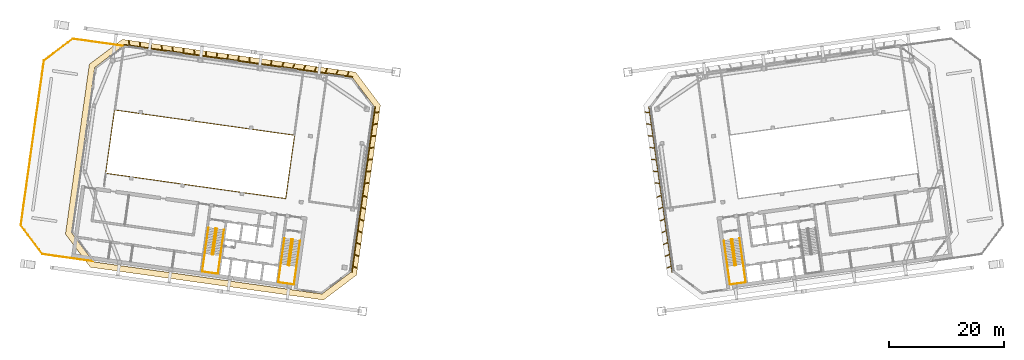
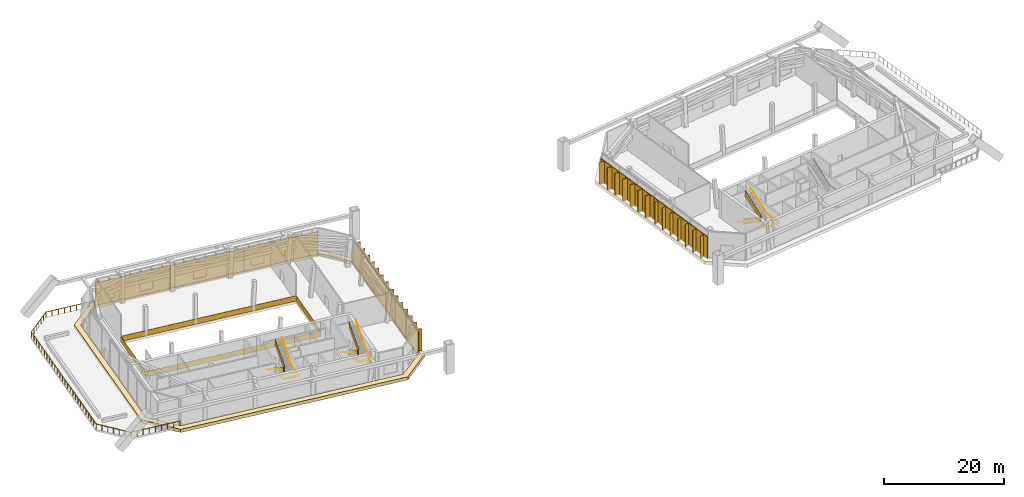
# One storey, part 28 of 29: 8 railings, 7 shading devices, 1 covering.
"""IFC4 building model written with IfcOpenShell, lengths in metres."""

from ifc_helpers import new_model, si_unit, direction, frame, origin, origin_2d, place, context, subcontext, project, spatial, polyline, rectangle, outline, extrude, material, layer, layer_set, type_object, element, save


model = new_model("IFC4")

# Units and contexts
model_context = context("Model", 3, precision=1e-05, world=origin(), true_north=direction((0.0, 1.0)))
body_context = subcontext(model_context, "Body", "Model", "MODEL_VIEW")
ifc_project = project(units=[si_unit("LENGTHUNIT", "METRE"), si_unit("AREAUNIT", "SQUARE_METRE"), si_unit("VOLUMEUNIT", "CUBIC_METRE"), si_unit("PLANEANGLEUNIT", "RADIAN"), si_unit("MASSUNIT", "GRAM", prefix="KILO")], contexts=[model_context])

# Site, building, storey
site_placement = place(None, origin())
site = spatial("IfcSite", under=ifc_project, at=site_placement, CompositionType="ELEMENT")
building_placement = place(site_placement, origin())
building = spatial("IfcBuilding", under=site, at=building_placement, Name="Mirante Cascada Hotel Towers", CompositionType="ELEMENT")
storey_placement = place(building_placement, frame((0.0, 0.0, 210.6)))
storey = spatial("IfcBuildingStorey", under=building, at=storey_placement, Name="L50", CompositionType="ELEMENT", Elevation=210.6)

# Covering
ifc_material_1 = material(Name="Precast concrete C40/50 white", Category="concrete")
ifc_layer = layer(ifc_material_1, 0.6)
ifc_layer_set = layer_set([ifc_layer], Name="Precast concrete SUNSHADE band 1000x600")
covering_type = type_object("IfcCoveringType", Name="Precast concrete SUNSHADE band 1000x600", PredefinedType="CLADDING", material=ifc_layer_set)
covering_placement = place(storey_placement, frame((0.0, 0.0, -0.5)))
element("IfcCovering", 1, at=covering_placement, inside=storey, type_object=covering_type, Name="Precast concrete SUNSHADE band T1 L50", PredefinedType="CLADDING", context=body_context, shape_type="SweptSolid", body=[
    extrude(outline(polyline([(-77.628, -10.3671), (-73.4767, 19.171), (-67.7326, 23.4995), (-27.1979, 17.8027), (-22.8694, 12.0586), (-27.0207, -17.4795), (-32.7648, -21.808), (-73.2995, -16.1112), (-77.628, -10.3671)]), holes=[polyline([(-23.9173, 11.7876), (-27.7472, 16.8701), (-67.4616, 22.4516), (-72.5441, 18.6217), (-76.5801, -10.0961), (-72.7501, -15.1786), (-33.0358, -20.7601), (-27.9533, -16.9301), (-23.9173, 11.7876)])]), origin(), (0.0, 0.0, 1.0), 0.65),
])

# Railings
ifc_material_2 = material(Name="Toughened glass", Category="glass")
railing_type_1 = type_object("IfcRailingType", Name="Refuge floor atrium guard 1100 glass balustrade", PredefinedType="GUARDRAIL", material=ifc_material_2)
railing_1_placement = place(storey_placement, frame((-39.343, -4.1708, 0.0)))
element("IfcRailing", 2, at=railing_1_placement, inside=storey, type_object=railing_type_1, Name="Atrium guard T1 L50", PredefinedType="GUARDRAIL", context=body_context, shape_type="SweptSolid", body=[
    extrude(rectangle(XDim=0.048, YDim=0.048, at=origin_2d()), frame((0.0, 0.0, 1.076), z_axis=(-0.9902684, 0.1391708, 0.0), x_axis=(-0.1391708, -0.9902684, 0.0)), (0.0, 0.0, 1.0), 31.6),
    extrude(rectangle(XDim=0.02, YDim=1.052, at=origin_2d()), frame((0.0, 0.0, 0.526), z_axis=(-0.9902684, 0.1391708, 0.0), x_axis=(-0.1391708, -0.9902684, 0.0)), (0.0, 0.0, 1.0), 31.6),
    extrude(rectangle(XDim=0.048, YDim=0.048, at=origin_2d()), frame((-31.2925, 4.3978, 1.076), z_axis=(0.1391709, 0.9902684, 0.0), x_axis=(-0.9902684, 0.1391709, 0.0)), (0.0, 0.0, 1.0), 11.1),
    extrude(rectangle(XDim=0.02, YDim=1.052, at=origin_2d()), frame((-31.2925, 4.3978, 0.526), z_axis=(0.1391709, 0.9902684, 0.0), x_axis=(-0.9902684, 0.1391709, 0.0)), (0.0, 0.0, 1.0), 11.1),
    extrude(rectangle(XDim=0.048, YDim=0.048, at=origin_2d()), frame((-29.7477, 15.3898, 1.076), z_axis=(0.990268, -0.1391739, 0.0), x_axis=(0.1391739, 0.990268, 0.0)), (0.0, 0.0, 1.0), 31.6),
    extrude(rectangle(XDim=0.02, YDim=1.052, at=origin_2d()), frame((-29.7477, 15.3898, 0.526), z_axis=(0.990268, -0.1391739, 0.0), x_axis=(0.1391739, 0.990268, 0.0)), (0.0, 0.0, 1.0), 31.6),
    extrude(rectangle(XDim=0.048, YDim=0.048, at=origin_2d()), frame((1.5448, 10.9919, 1.076), z_axis=(-0.1391721, -0.9902682, 0.0), x_axis=(0.9902682, -0.1391721, 0.0)), (0.0, 0.0, 1.0), 11.0999),
    extrude(rectangle(XDim=0.02, YDim=1.052, at=origin_2d()), frame((1.5448, 10.9919, 0.526), z_axis=(-0.1391721, -0.9902682, 0.0), x_axis=(0.9902682, -0.1391721, 0.0)), (0.0, 0.0, 1.0), 11.0999),
])
ifc_material_3 = material(Name="Painted steel", Category="steel")
railing_type_2 = type_object("IfcRailingType", Name="Stair guard 1100 steel balustrade", PredefinedType="GUARDRAIL", material=ifc_material_3)
railing_2_placement = place(storey_placement, frame((-38.1178, -11.2603, 0.0)))
element("IfcRailing", 3, at=railing_2_placement, inside=storey, type_object=railing_type_2, Name="L50 ST1-A stair guard 1", PredefinedType="GUARDRAIL", context=body_context, shape_type="SweptSolid", body=[
    extrude(rectangle(XDim=0.048, YDim=0.048, at=origin_2d()), frame((0.0, 0.0, 1.076), z_axis=(-0.9903326, 0.1387133, 0.0), x_axis=(-0.1387133, -0.9903326, 0.0)), (0.0, 0.0, 1.0), 0.1499),
    extrude(rectangle(XDim=0.02, YDim=1.052, at=origin_2d()), frame((0.0, 0.0, 0.526), z_axis=(-0.9903326, 0.1387133, 0.0), x_axis=(-0.1387133, -0.9903326, 0.0)), (0.0, 0.0, 1.0), 0.1499),
    extrude(rectangle(XDim=0.048, YDim=0.048, at=origin_2d()), frame((-0.1485, 0.0208, 1.076), z_axis=(-0.7991505, -0.6011309, 0.0), x_axis=(0.6011309, -0.7991505, 0.0)), (0.0, 0.9282951, 0.3718444), 0.1901),
    extrude(rectangle(XDim=0.02, YDim=1.052, at=origin_2d()), frame((-0.1485, 0.0208, 0.526), z_axis=(-0.7991505, -0.6011309, 0.0), x_axis=(0.6011309, -0.7991505, 0.0)), (0.0, 0.9282951, 0.3718444), 0.1901),
    extrude(rectangle(XDim=0.048, YDim=0.048, at=origin_2d()), frame((-0.205, -0.0217, 1.2525), z_axis=(-0.1391741, -0.9902679, 0.0), x_axis=(0.9902679, -0.1391741, 0.0)), (0.0, 0.5331864, 0.8459978), 5.2955),
    extrude(rectangle(XDim=0.02, YDim=1.052, at=origin_2d()), frame((-0.205, -0.0217, 0.7025), z_axis=(-0.1391741, -0.9902679, 0.0), x_axis=(0.9902679, -0.1391741, 0.0)), (0.0, 0.5331864, 0.8459978), 5.2955),
    extrude(rectangle(XDim=0.048, YDim=0.048, at=origin_2d()), frame((-0.8285, -4.4581, 4.076), z_axis=(0.9268624, -0.3754011, 0.0), x_axis=(0.3754011, 0.9268624, 0.0)), (0.0, 0.0, 1.0), 0.2062),
    extrude(rectangle(XDim=0.02, YDim=1.052, at=origin_2d()), frame((-0.8285, -4.4581, 3.526), z_axis=(0.9268624, -0.3754011, 0.0), x_axis=(0.3754011, 0.9268624, 0.0)), (0.0, 0.0, 1.0), 0.2062),
    extrude(rectangle(XDim=0.048, YDim=0.048, at=origin_2d()), frame((-0.6374, -4.5355, 4.076), z_axis=(-0.9902408, 0.1393672, 0.0), x_axis=(-0.1393672, -0.9902408, 0.0)), (0.0, 0.0, 1.0), 0.15),
    extrude(rectangle(XDim=0.02, YDim=1.052, at=origin_2d()), frame((-0.6374, -4.5355, 3.526), z_axis=(-0.9902408, 0.1393672, 0.0), x_axis=(-0.1393672, -0.9902408, 0.0)), (0.0, 0.0, 1.0), 0.15),
    extrude(rectangle(XDim=0.048, YDim=0.048, at=origin_2d()), frame((-0.7859, -4.5146, 4.076), z_axis=(0.9944441, 0.1052656, 0.0), x_axis=(-0.1052656, 0.9944441, 0.0)), (0.0, 0.650375, 0.7596133), 0.2714),
    extrude(rectangle(XDim=0.02, YDim=1.052, at=origin_2d()), frame((-0.7859, -4.5146, 3.526), z_axis=(0.9944441, 0.1052656, 0.0), x_axis=(-0.1052656, 0.9944441, 0.0)), (0.0, 0.650375, 0.7596133), 0.2714),
    extrude(rectangle(XDim=0.048, YDim=0.048, at=origin_2d()), frame((-0.5809, -4.4929, 4.2525), z_axis=(0.1391741, 0.9902679, 0.0), x_axis=(-0.9902679, 0.1391741, 0.0)), (0.0, 0.5331864, 0.8459978), 5.2955),
    extrude(rectangle(XDim=0.02, YDim=1.052, at=origin_2d()), frame((-0.5809, -4.4929, 3.7025), z_axis=(0.1391741, 0.9902679, 0.0), x_axis=(-0.9902679, 0.1391741, 0.0)), (0.0, 0.5331864, 0.8459978), 5.2955),
])
railing_3_placement = place(storey_placement, frame((-51.3379, -9.4024, 0.0)))
element("IfcRailing", 4, at=railing_3_placement, inside=storey, type_object=railing_type_2, Name="L50 ST1-B stair guard 1", PredefinedType="GUARDRAIL", context=body_context, shape_type="SweptSolid", body=[
    extrude(rectangle(XDim=0.048, YDim=0.048, at=origin_2d()), frame((0.0, 0.0, 1.076), z_axis=(-0.9902408, 0.1393672, 0.0), x_axis=(-0.1393672, -0.9902408, 0.0)), (0.0, 0.0, 1.0), 0.15),
    extrude(rectangle(XDim=0.02, YDim=1.052, at=origin_2d()), frame((0.0, 0.0, 0.526), z_axis=(-0.9902408, 0.1393672, 0.0), x_axis=(-0.1393672, -0.9902408, 0.0)), (0.0, 0.0, 1.0), 0.15),
    extrude(rectangle(XDim=0.048, YDim=0.048, at=origin_2d()), frame((-0.1485, 0.0209, 1.076), z_axis=(-0.7984711, -0.6020331, 0.0), x_axis=(0.6020331, -0.7984711, 0.0)), (0.0, 0.9281858, 0.372117), 0.1902),
    extrude(rectangle(XDim=0.02, YDim=1.052, at=origin_2d()), frame((-0.1485, 0.0209, 0.526), z_axis=(-0.7984711, -0.6020331, 0.0), x_axis=(0.6020331, -0.7984711, 0.0)), (0.0, 0.9281858, 0.372117), 0.1902),
    extrude(rectangle(XDim=0.048, YDim=0.048, at=origin_2d()), frame((-0.205, -0.0217, 1.2525), z_axis=(-0.1391741, -0.9902679, 0.0), x_axis=(0.9902679, -0.1391741, 0.0)), (0.0, 0.5331864, 0.8459978), 5.2955),
    extrude(rectangle(XDim=0.02, YDim=1.052, at=origin_2d()), frame((-0.205, -0.0217, 0.7025), z_axis=(-0.1391741, -0.9902679, 0.0), x_axis=(0.9902679, -0.1391741, 0.0)), (0.0, 0.5331864, 0.8459978), 5.2955),
    extrude(rectangle(XDim=0.048, YDim=0.048, at=origin_2d()), frame((-0.8285, -4.4581, 4.076), z_axis=(0.9270311, -0.3749843, 0.0), x_axis=(0.3749843, 0.9270311, 0.0)), (0.0, 0.0, 1.0), 0.2061),
    extrude(rectangle(XDim=0.02, YDim=1.052, at=origin_2d()), frame((-0.8285, -4.4581, 3.526), z_axis=(0.9270311, -0.3749843, 0.0), x_axis=(0.3749843, 0.9270311, 0.0)), (0.0, 0.0, 1.0), 0.2061),
    extrude(rectangle(XDim=0.048, YDim=0.048, at=origin_2d()), frame((-0.6374, -4.5354, 4.076), z_axis=(-0.9902408, 0.1393672, 0.0), x_axis=(-0.1393672, -0.9902408, 0.0)), (0.0, 0.0, 1.0), 0.15),
    extrude(rectangle(XDim=0.02, YDim=1.052, at=origin_2d()), frame((-0.6374, -4.5354, 3.526), z_axis=(-0.9902408, 0.1393672, 0.0), x_axis=(-0.1393672, -0.9902408, 0.0)), (0.0, 0.0, 1.0), 0.15),
    extrude(rectangle(XDim=0.048, YDim=0.048, at=origin_2d()), frame((-0.7859, -4.5145, 4.076), z_axis=(0.9944948, 0.1047858, 0.0), x_axis=(-0.1047858, 0.9944948, 0.0)), (0.0, 0.6503941, 0.759597), 0.2714),
    extrude(rectangle(XDim=0.02, YDim=1.052, at=origin_2d()), frame((-0.7859, -4.5145, 3.526), z_axis=(0.9944948, 0.1047858, 0.0), x_axis=(-0.1047858, 0.9944948, 0.0)), (0.0, 0.6503941, 0.759597), 0.2714),
    extrude(rectangle(XDim=0.048, YDim=0.048, at=origin_2d()), frame((-0.5809, -4.4929, 4.2525), z_axis=(0.1391741, 0.9902679, 0.0), x_axis=(-0.9902679, 0.1391741, 0.0)), (0.0, 0.5331864, 0.8459978), 5.2955),
    extrude(rectangle(XDim=0.02, YDim=1.052, at=origin_2d()), frame((-0.5809, -4.4929, 3.7025), z_axis=(0.1391741, 0.9902679, 0.0), x_axis=(-0.9902679, 0.1391741, 0.0)), (0.0, 0.5331864, 0.8459978), 5.2955),
])
railing_4_placement = place(storey_placement, frame((38.2663, -11.2395, 0.0)))
element("IfcRailing", 5, at=railing_4_placement, inside=storey, type_object=railing_type_2, Name="L50 ST2-A stair guard 1", PredefinedType="GUARDRAIL", context=body_context, shape_type="SweptSolid", body=[
    extrude(rectangle(XDim=0.048, YDim=0.048, at=origin_2d()), frame((0.0, 0.0, 1.076), z_axis=(-0.9903326, -0.1387133, 0.0), x_axis=(0.1387133, -0.9903326, 0.0)), (0.0, 0.0, 1.0), 0.1499),
    extrude(rectangle(XDim=0.02, YDim=1.052, at=origin_2d()), frame((0.0, 0.0, 0.526), z_axis=(-0.9903326, -0.1387133, 0.0), x_axis=(0.1387133, -0.9903326, 0.0)), (0.0, 0.0, 1.0), 0.1499),
    extrude(rectangle(XDim=0.048, YDim=0.048, at=origin_2d()), frame((-0.1485, -0.0208, 1.076), z_axis=(-0.6020331, -0.7984711, 0.0), x_axis=(0.7984711, -0.6020331, 0.0)), (0.0, 0.9281858, 0.372117), 0.1902),
    extrude(rectangle(XDim=0.02, YDim=1.052, at=origin_2d()), frame((-0.1485, -0.0208, 0.526), z_axis=(-0.6020331, -0.7984711, 0.0), x_axis=(0.7984711, -0.6020331, 0.0)), (0.0, 0.9281858, 0.372117), 0.1902),
    extrude(rectangle(XDim=0.048, YDim=0.048, at=origin_2d()), frame((-0.1911, -0.0773, 1.2525), z_axis=(0.1391741, -0.9902679, 0.0), x_axis=(0.9902679, 0.1391741, 0.0)), (0.0, 0.5331864, 0.8459978), 5.2955),
    extrude(rectangle(XDim=0.02, YDim=1.052, at=origin_2d()), frame((-0.1911, -0.0773, 0.7025), z_axis=(0.1391741, -0.9902679, 0.0), x_axis=(0.9902679, 0.1391741, 0.0)), (0.0, 0.5331864, 0.8459978), 5.2955),
    extrude(rectangle(XDim=0.048, YDim=0.048, at=origin_2d()), frame((0.4324, -4.5137, 4.076), z_axis=(0.9944441, -0.1052656, 0.0), x_axis=(0.1052656, 0.9944441, 0.0)), (0.0, 0.0, 1.0), 0.2061),
    extrude(rectangle(XDim=0.02, YDim=1.052, at=origin_2d()), frame((0.4324, -4.5137, 3.526), z_axis=(0.9944441, -0.1052656, 0.0), x_axis=(0.1052656, 0.9944441, 0.0)), (0.0, 0.0, 1.0), 0.2061),
    extrude(rectangle(XDim=0.048, YDim=0.048, at=origin_2d()), frame((0.6374, -4.5354, 4.076), z_axis=(-0.9902408, -0.1393672, 0.0), x_axis=(0.1393672, -0.9902408, 0.0)), (0.0, 0.0, 1.0), 0.15),
    extrude(rectangle(XDim=0.02, YDim=1.052, at=origin_2d()), frame((0.6374, -4.5354, 3.526), z_axis=(-0.9902408, -0.1393672, 0.0), x_axis=(0.1393672, -0.9902408, 0.0)), (0.0, 0.0, 1.0), 0.15),
    extrude(rectangle(XDim=0.048, YDim=0.048, at=origin_2d()), frame((0.4889, -4.5563, 4.076), z_axis=(0.9268624, 0.3754011, 0.0), x_axis=(-0.3754011, 0.9268624, 0.0)), (0.0, 0.6503128, 0.7596665), 0.2714),
    extrude(rectangle(XDim=0.02, YDim=1.052, at=origin_2d()), frame((0.4889, -4.5563, 3.526), z_axis=(0.9268624, 0.3754011, 0.0), x_axis=(-0.3754011, 0.9268624, 0.0)), (0.0, 0.6503128, 0.7596665), 0.2714),
    extrude(rectangle(XDim=0.048, YDim=0.048, at=origin_2d()), frame((0.68, -4.4789, 4.2525), z_axis=(-0.1391741, 0.9902679, 0.0), x_axis=(-0.9902679, -0.1391741, 0.0)), (0.0, 0.5331864, 0.8459978), 5.2955),
    extrude(rectangle(XDim=0.02, YDim=1.052, at=origin_2d()), frame((0.68, -4.4789, 3.7025), z_axis=(-0.1391741, 0.9902679, 0.0), x_axis=(-0.9902679, -0.1391741, 0.0)), (0.0, 0.5331864, 0.8459978), 5.2955),
])
ifc_material_4 = material(Name="Painted steel", Category="steel")
railing_type_3 = type_object("IfcRailingType", Name="Stair handrail 900 steel tube", PredefinedType="HANDRAIL", material=ifc_material_4)
railing_5_placement = place(storey_placement, frame((-39.5606, -11.1081, 0.1765)))
element("IfcRailing", 6, at=railing_5_placement, inside=storey, type_object=railing_type_3, Name="L50 ST1-A stair handrail 1", PredefinedType="HANDRAIL", context=body_context, shape_type="SweptSolid", body=[
    extrude(rectangle(XDim=0.048, YDim=0.048, at=origin_2d()), frame((0.0, 0.0, 0.876), z_axis=(-0.1391741, -0.9902679, 0.0), x_axis=(0.9902679, -0.1391741, 0.0)), (0.0, 0.5331864, 0.8459978), 5.2955),
    extrude(rectangle(XDim=0.048, YDim=0.048, at=origin_2d()), frame((-0.6234, -4.4354, 3.6994), z_axis=(-0.1391949, -0.990265, 0.0), x_axis=(0.990265, -0.1391949, 0.0)), (0.0, 0.0547324, 0.9985011), 3.2258),
    extrude(rectangle(XDim=0.048, YDim=0.048, at=origin_2d()), frame((-1.0717, -7.625, 3.876), z_axis=(0.9902698, -0.1391607, 0.0), x_axis=(0.1391607, 0.9902698, 0.0)), (0.0, 0.0, 1.0), 2.7501),
    extrude(rectangle(XDim=0.048, YDim=0.048, at=origin_2d()), frame((1.6516, -8.0077, 3.876), z_axis=(0.1391644, 0.9902693, 0.0), x_axis=(-0.9902693, 0.1391644, 0.0)), (0.0, 0.0, 1.0), 3.2199),
    extrude(rectangle(XDim=0.048, YDim=0.048, at=origin_2d()), frame((2.0996, -4.8199, 3.8755), z_axis=(0.1391741, 0.9902679, 0.0), x_axis=(-0.9902679, 0.1391741, 0.0)), (0.0, 0.5331864, 0.8459978), 5.2965),
])
railing_6_placement = place(storey_placement, frame((-52.7807, -9.2501, 0.1765)))
element("IfcRailing", 7, at=railing_6_placement, inside=storey, type_object=railing_type_3, Name="L50 ST1-B stair handrail 1", PredefinedType="HANDRAIL", context=body_context, shape_type="SweptSolid", body=[
    extrude(rectangle(XDim=0.048, YDim=0.048, at=origin_2d()), frame((0.0, 0.0, 0.876), z_axis=(-0.1391741, -0.9902679, 0.0), x_axis=(0.9902679, -0.1391741, 0.0)), (0.0, 0.5331864, 0.8459978), 5.2955),
    extrude(rectangle(XDim=0.048, YDim=0.048, at=origin_2d()), frame((-0.6234, -4.4354, 3.6994), z_axis=(-0.1391906, -0.9902656, 0.0), x_axis=(0.9902656, -0.1391906, 0.0)), (0.0, 0.0547307, 0.9985011), 3.2259),
    extrude(rectangle(XDim=0.048, YDim=0.048, at=origin_2d()), frame((-1.0717, -7.6251, 3.876), z_axis=(0.9902698, -0.1391607, 0.0), x_axis=(0.1391607, 0.9902698, 0.0)), (0.0, 0.0, 1.0), 2.7501),
    extrude(rectangle(XDim=0.048, YDim=0.048, at=origin_2d()), frame((1.6516, -8.0078, 3.876), z_axis=(0.1391601, 0.9902699, 0.0), x_axis=(-0.9902699, 0.1391601, 0.0)), (0.0, 0.0, 1.0), 3.22),
    extrude(rectangle(XDim=0.048, YDim=0.048, at=origin_2d()), frame((2.0996, -4.8199, 3.8755), z_axis=(0.1391741, 0.9902679, 0.0), x_axis=(-0.9902679, 0.1391741, 0.0)), (0.0, 0.5331864, 0.8459978), 5.2965),
])
railing_7_placement = place(storey_placement, frame((36.8374, -11.4908, 0.1765)))
element("IfcRailing", 8, at=railing_7_placement, inside=storey, type_object=railing_type_3, Name="L50 ST2-A stair handrail 1", PredefinedType="HANDRAIL", context=body_context, shape_type="SweptSolid", body=[
    extrude(rectangle(XDim=0.048, YDim=0.048, at=origin_2d()), frame((0.0, 0.0, 0.876), z_axis=(0.1391741, -0.9902679, 0.0), x_axis=(0.9902679, 0.1391741, 0.0)), (0.0, 0.5331864, 0.8459978), 5.2955),
    extrude(rectangle(XDim=0.048, YDim=0.048, at=origin_2d()), frame((0.6234, -4.4354, 3.6994), z_axis=(0.1391644, -0.9902693, 0.0), x_axis=(0.9902693, 0.1391644, 0.0)), (0.0, 0.0547327, 0.998501), 3.2258),
    extrude(rectangle(XDim=0.048, YDim=0.048, at=origin_2d()), frame((1.0716, -7.625, 3.876), z_axis=(0.9902698, 0.1391607, 0.0), x_axis=(-0.1391607, 0.9902698, 0.0)), (0.0, 0.0, 1.0), 2.7501),
    extrude(rectangle(XDim=0.048, YDim=0.048, at=origin_2d()), frame((3.7949, -7.2423, 3.876), z_axis=(-0.1391949, 0.990265, 0.0), x_axis=(-0.990265, -0.1391949, 0.0)), (0.0, 0.0, 1.0), 3.2199),
    extrude(rectangle(XDim=0.048, YDim=0.048, at=origin_2d()), frame((3.3468, -4.0545, 3.8755), z_axis=(-0.1391741, 0.9902679, 0.0), x_axis=(-0.9902679, -0.1391741, 0.0)), (0.0, 0.5331864, 0.8459978), 5.2965),
])
ifc_material_5 = material(Name="Stainless steel AISI 316", Category="steel")
railing_type_4 = type_object("IfcRailingType", Name="Terrace guard 1100", PredefinedType="GUARDRAIL", material=ifc_material_5)
railing_8_placement = place(storey_placement, frame((-67.6025, 22.3704, 0.0)))
element("IfcRailing", 9, at=railing_8_placement, inside=storey, type_object=railing_type_4, Name="GUARD T1 L50 terrace 1", PredefinedType="GUARDRAIL", context=body_context, shape_type="SweptSolid", body=[
    extrude(outline(polyline([(0.025, 0.0104), (0.0104, 0.025), (-0.0104, 0.025), (-0.025, 0.0104), (-0.025, -0.0104), (-0.0104, -0.025), (0.0104, -0.025), (0.025, -0.0104), (0.025, 0.0104)])), frame((0.0, 0.0, 1.075), z_axis=(-0.9902672, 0.1391792, 0.0), x_axis=(-0.1391792, -0.9902672, 0.0)), (0.0, 0.0, 1.0), 8.8303),
    extrude(outline(polyline([(0.025, 0.0104), (0.0104, 0.025), (-0.0104, 0.025), (-0.025, 0.0104), (-0.025, -0.0104), (-0.0104, -0.025), (0.0104, -0.025), (0.025, -0.0104), (0.025, 0.0104)])), frame((-8.7444, 1.229, 1.075), z_axis=(-0.7986319, -0.6018198, 0.0), x_axis=(0.6018198, -0.7986319, 0.0)), (0.0, 0.0, 1.0), 6.2811),
    extrude(outline(polyline([(0.025, 0.0104), (0.0104, 0.025), (-0.0104, 0.025), (-0.025, 0.0104), (-0.025, -0.0104), (-0.0104, -0.025), (0.0104, -0.025), (0.025, -0.0104), (0.025, 0.0104)])), frame((-13.7607, -2.5511, 1.075), z_axis=(-0.1391736, -0.990268, 0.0), x_axis=(0.990268, -0.1391736, 0.0)), (0.0, 0.0, 1.0), 28.9171),
    extrude(outline(polyline([(0.025, 0.0104), (0.0104, 0.025), (-0.0104, 0.025), (-0.025, 0.0104), (-0.025, -0.0104), (-0.0104, -0.025), (0.0104, -0.025), (0.025, -0.0104), (0.025, 0.0104)])), frame((-17.7852, -31.1868, 1.075), z_axis=(0.6018121, -0.7986377, 0.0), x_axis=(0.7986377, 0.6018121, 0.0)), (0.0, 0.0, 1.0), 6.2812),
    extrude(outline(polyline([(0.025, 0.0104), (0.0104, 0.025), (-0.0104, 0.025), (-0.025, 0.0104), (-0.025, -0.0104), (-0.0104, -0.025), (0.0104, -0.025), (0.025, -0.0104), (0.025, 0.0104)])), frame((-14.0051, -36.2032, 1.075), z_axis=(0.9902686, -0.1391696, 0.0), x_axis=(0.1391696, 0.9902686, 0.0)), (0.0, 0.0, 1.0), 8.8302),
    extrude(rectangle(XDim=0.05, YDim=0.05, at=origin_2d()), origin(), (0.0, 0.0, 1.0), 1.05),
    extrude(rectangle(XDim=0.05, YDim=0.05, at=origin_2d()), frame((-1.093, 0.1536, 0.0)), (0.0, 0.0, 1.0), 1.05),
    extrude(rectangle(XDim=0.05, YDim=0.05, at=origin_2d()), frame((-2.1861, 0.3072, 0.0)), (0.0, 0.0, 1.0), 1.05),
    extrude(rectangle(XDim=0.05, YDim=0.05, at=origin_2d()), frame((-3.2791, 0.4609, 0.0)), (0.0, 0.0, 1.0), 1.05),
    extrude(rectangle(XDim=0.05, YDim=0.05, at=origin_2d()), frame((-4.3722, 0.6145, 0.0)), (0.0, 0.0, 1.0), 1.05),
    extrude(rectangle(XDim=0.05, YDim=0.05, at=origin_2d()), frame((-5.4652, 0.7681, 0.0)), (0.0, 0.0, 1.0), 1.05),
    extrude(rectangle(XDim=0.05, YDim=0.05, at=origin_2d()), frame((-6.5583, 0.9217, 0.0)), (0.0, 0.0, 1.0), 1.05),
    extrude(rectangle(XDim=0.05, YDim=0.05, at=origin_2d()), frame((-7.6513, 1.0754, 0.0)), (0.0, 0.0, 1.0), 1.05),
    extrude(rectangle(XDim=0.05, YDim=0.05, at=origin_2d()), frame((-8.7444, 1.229, 0.0)), (0.0, 0.0, 1.0), 1.05),
    extrude(rectangle(XDim=0.05, YDim=0.05, at=origin_2d()), frame((-9.5804, 0.599, 0.0)), (0.0, 0.0, 1.0), 1.05),
    extrude(rectangle(XDim=0.05, YDim=0.05, at=origin_2d()), frame((-10.4165, -0.031, 0.0)), (0.0, 0.0, 1.0), 1.05),
    extrude(rectangle(XDim=0.05, YDim=0.05, at=origin_2d()), frame((-11.2526, -0.6611, 0.0)), (0.0, 0.0, 1.0), 1.05),
    extrude(rectangle(XDim=0.05, YDim=0.05, at=origin_2d()), frame((-12.0886, -1.2911, 0.0)), (0.0, 0.0, 1.0), 1.05),
    extrude(rectangle(XDim=0.05, YDim=0.05, at=origin_2d()), frame((-12.9246, -1.9211, 0.0)), (0.0, 0.0, 1.0), 1.05),
    extrude(rectangle(XDim=0.05, YDim=0.05, at=origin_2d()), frame((-13.7607, -2.5511, 0.0)), (0.0, 0.0, 1.0), 1.05),
    extrude(rectangle(XDim=0.05, YDim=0.05, at=origin_2d()), frame((-13.9217, -3.6965, 0.0)), (0.0, 0.0, 1.0), 1.05),
    extrude(rectangle(XDim=0.05, YDim=0.05, at=origin_2d()), frame((-14.0827, -4.842, 0.0)), (0.0, 0.0, 1.0), 1.05),
    extrude(rectangle(XDim=0.05, YDim=0.05, at=origin_2d()), frame((-14.2436, -5.9874, 0.0)), (0.0, 0.0, 1.0), 1.05),
    extrude(rectangle(XDim=0.05, YDim=0.05, at=origin_2d()), frame((-14.4046, -7.1328, 0.0)), (0.0, 0.0, 1.0), 1.05),
    extrude(rectangle(XDim=0.05, YDim=0.05, at=origin_2d()), frame((-14.5656, -8.2782, 0.0)), (0.0, 0.0, 1.0), 1.05),
    extrude(rectangle(XDim=0.05, YDim=0.05, at=origin_2d()), frame((-14.7266, -9.4237, 0.0)), (0.0, 0.0, 1.0), 1.05),
    extrude(rectangle(XDim=0.05, YDim=0.05, at=origin_2d()), frame((-14.8876, -10.5691, 0.0)), (0.0, 0.0, 1.0), 1.05),
    extrude(rectangle(XDim=0.05, YDim=0.05, at=origin_2d()), frame((-15.0485, -11.7145, 0.0)), (0.0, 0.0, 1.0), 1.05),
    extrude(rectangle(XDim=0.05, YDim=0.05, at=origin_2d()), frame((-15.2095, -12.86, 0.0)), (0.0, 0.0, 1.0), 1.05),
    extrude(rectangle(XDim=0.05, YDim=0.05, at=origin_2d()), frame((-15.3705, -14.0054, 0.0)), (0.0, 0.0, 1.0), 1.05),
    extrude(rectangle(XDim=0.05, YDim=0.05, at=origin_2d()), frame((-15.5315, -15.1508, 0.0)), (0.0, 0.0, 1.0), 1.05),
    extrude(rectangle(XDim=0.05, YDim=0.05, at=origin_2d()), frame((-15.6925, -16.2962, 0.0)), (0.0, 0.0, 1.0), 1.05),
    extrude(rectangle(XDim=0.05, YDim=0.05, at=origin_2d()), frame((-15.8534, -17.4417, 0.0)), (0.0, 0.0, 1.0), 1.05),
    extrude(rectangle(XDim=0.05, YDim=0.05, at=origin_2d()), frame((-16.0144, -18.5871, 0.0)), (0.0, 0.0, 1.0), 1.05),
    extrude(rectangle(XDim=0.05, YDim=0.05, at=origin_2d()), frame((-16.1754, -19.7325, 0.0)), (0.0, 0.0, 1.0), 1.05),
    extrude(rectangle(XDim=0.05, YDim=0.05, at=origin_2d()), frame((-16.3364, -20.8779, 0.0)), (0.0, 0.0, 1.0), 1.05),
    extrude(rectangle(XDim=0.05, YDim=0.05, at=origin_2d()), frame((-16.4974, -22.0234, 0.0)), (0.0, 0.0, 1.0), 1.05),
    extrude(rectangle(XDim=0.05, YDim=0.05, at=origin_2d()), frame((-16.6583, -23.1688, 0.0)), (0.0, 0.0, 1.0), 1.05),
    extrude(rectangle(XDim=0.05, YDim=0.05, at=origin_2d()), frame((-16.8193, -24.3142, 0.0)), (0.0, 0.0, 1.0), 1.05),
    extrude(rectangle(XDim=0.05, YDim=0.05, at=origin_2d()), frame((-16.9803, -25.4597, 0.0)), (0.0, 0.0, 1.0), 1.05),
    extrude(rectangle(XDim=0.05, YDim=0.05, at=origin_2d()), frame((-17.1413, -26.6051, 0.0)), (0.0, 0.0, 1.0), 1.05),
    extrude(rectangle(XDim=0.05, YDim=0.05, at=origin_2d()), frame((-17.3023, -27.7505, 0.0)), (0.0, 0.0, 1.0), 1.05),
    extrude(rectangle(XDim=0.05, YDim=0.05, at=origin_2d()), frame((-17.4632, -28.8959, 0.0)), (0.0, 0.0, 1.0), 1.05),
    extrude(rectangle(XDim=0.05, YDim=0.05, at=origin_2d()), frame((-17.6242, -30.0414, 0.0)), (0.0, 0.0, 1.0), 1.05),
    extrude(rectangle(XDim=0.05, YDim=0.05, at=origin_2d()), frame((-17.7852, -31.1868, 0.0)), (0.0, 0.0, 1.0), 1.05),
    extrude(rectangle(XDim=0.05, YDim=0.05, at=origin_2d()), frame((-17.1552, -32.0229, 0.0)), (0.0, 0.0, 1.0), 1.05),
    extrude(rectangle(XDim=0.05, YDim=0.05, at=origin_2d()), frame((-16.5252, -32.8589, 0.0)), (0.0, 0.0, 1.0), 1.05),
    extrude(rectangle(XDim=0.05, YDim=0.05, at=origin_2d()), frame((-15.8951, -33.695, 0.0)), (0.0, 0.0, 1.0), 1.05),
    extrude(rectangle(XDim=0.05, YDim=0.05, at=origin_2d()), frame((-15.2651, -34.5311, 0.0)), (0.0, 0.0, 1.0), 1.05),
    extrude(rectangle(XDim=0.05, YDim=0.05, at=origin_2d()), frame((-14.6351, -35.3671, 0.0)), (0.0, 0.0, 1.0), 1.05),
    extrude(rectangle(XDim=0.05, YDim=0.05, at=origin_2d()), frame((-14.0051, -36.2032, 0.0)), (0.0, 0.0, 1.0), 1.05),
    extrude(rectangle(XDim=0.05, YDim=0.05, at=origin_2d()), frame((-12.9121, -36.3568, 0.0)), (0.0, 0.0, 1.0), 1.05),
    extrude(rectangle(XDim=0.05, YDim=0.05, at=origin_2d()), frame((-11.819, -36.5104, 0.0)), (0.0, 0.0, 1.0), 1.05),
    extrude(rectangle(XDim=0.05, YDim=0.05, at=origin_2d()), frame((-10.726, -36.664, 0.0)), (0.0, 0.0, 1.0), 1.05),
    extrude(rectangle(XDim=0.05, YDim=0.05, at=origin_2d()), frame((-9.6329, -36.8176, 0.0)), (0.0, 0.0, 1.0), 1.05),
    extrude(rectangle(XDim=0.05, YDim=0.05, at=origin_2d()), frame((-8.5399, -36.9713, 0.0)), (0.0, 0.0, 1.0), 1.05),
    extrude(rectangle(XDim=0.05, YDim=0.05, at=origin_2d()), frame((-7.4469, -37.1249, 0.0)), (0.0, 0.0, 1.0), 1.05),
    extrude(rectangle(XDim=0.05, YDim=0.05, at=origin_2d()), frame((-6.3538, -37.2785, 0.0)), (0.0, 0.0, 1.0), 1.05),
    extrude(rectangle(XDim=0.05, YDim=0.05, at=origin_2d()), frame((-5.2608, -37.4321, 0.0)), (0.0, 0.0, 1.0), 1.05),
])

# Shading devices
ifc_material_6 = material(Name="White precast concrete C50/60 fin", Category="concrete")
shading_device_type = type_object("IfcShadingDeviceType", Name="Vertical fin set 4500x900", PredefinedType="USERDEFINED", material=ifc_material_6)
shading_device_1_placement = place(storey_placement, origin())
element("IfcShadingDevice", 10, at=shading_device_1_placement, inside=storey, type_object=shading_device_type, Name="FIN T1 L50 front 1", ObjectType="FIN", PredefinedType="USERDEFINED", context=body_context, shape_type="SweptSolid", body=[
    extrude(outline(polyline([(-55.1204, 20.8686), (-54.2026, 20.7396), (-54.2235, 20.5911), (-67.4616, 22.4516), (-67.4407, 22.6001), (-66.5494, 22.4749), (-66.6515, 23.3062), (-66.5721, 23.3159), (-66.4674, 22.4634), (-64.6582, 22.2091), (-64.7603, 23.0404), (-64.6809, 23.0501), (-64.5762, 22.1976), (-62.7671, 21.9433), (-62.8691, 22.7746), (-62.7897, 22.7843), (-62.6851, 21.9318), (-60.8759, 21.6775), (-60.978, 22.5088), (-60.8986, 22.5185), (-60.7939, 21.666), (-58.9848, 21.4117), (-59.0868, 22.243), (-59.0074, 22.2528), (-58.9027, 21.4002), (-57.0936, 21.146), (-57.1957, 21.9772), (-57.1163, 21.987), (-57.0116, 21.1344), (-55.2024, 20.8802), (-55.3045, 21.7114), (-55.2251, 21.7212), (-55.1204, 20.8686)])), origin(), (0.0, 0.0, 1.0), 4.55),
])
shading_device_2_placement = place(storey_placement, origin())
element("IfcShadingDevice", 11, at=shading_device_2_placement, inside=storey, type_object=shading_device_type, Name="FIN T1 L50 front 2", ObjectType="FIN", PredefinedType="USERDEFINED", context=body_context, shape_type="SweptSolid", body=[
    extrude(outline(polyline([(-41.8704, 19.0065), (-40.9645, 18.8792), (-40.9853, 18.7306), (-54.2235, 20.5911), (-54.2026, 20.7396), (-53.2966, 20.6123), (-53.1783, 21.4541), (-53.0991, 21.4429), (-53.2174, 20.6012), (-51.4055, 20.3465), (-51.2872, 21.1883), (-51.2079, 21.1771), (-51.3262, 20.3354), (-49.5143, 20.0808), (-49.396, 20.9225), (-49.3168, 20.9113), (-49.4351, 20.0696), (-47.6231, 19.815), (-47.5048, 20.6567), (-47.4256, 20.6456), (-47.5439, 19.8038), (-45.732, 19.5492), (-45.6137, 20.3909), (-45.5345, 20.3798), (-45.6528, 19.538), (-43.8408, 19.2834), (-43.7225, 20.1251), (-43.6433, 20.114), (-43.7616, 19.2723), (-41.9497, 19.0176), (-41.8314, 19.8593), (-41.7521, 19.8482), (-41.8704, 19.0065)])), origin(), (0.0, 0.0, 1.0), 4.55),
])
shading_device_3_placement = place(storey_placement, origin())
element("IfcShadingDevice", 12, at=shading_device_3_placement, inside=storey, type_object=shading_device_type, Name="FIN T1 L50 front 3", ObjectType="FIN", PredefinedType="USERDEFINED", context=body_context, shape_type="SweptSolid", body=[
    extrude(outline(polyline([(-28.6177, 17.1439), (-27.7264, 17.0187), (-27.7472, 16.8701), (-40.9853, 18.7306), (-40.9645, 18.8792), (-40.0466, 18.7502), (-39.711, 19.5408), (-39.6374, 19.5096), (-39.9646, 18.7386), (-38.1555, 18.4844), (-37.8199, 19.275), (-37.7462, 19.2438), (-38.0735, 18.4728), (-36.2643, 18.2186), (-35.9287, 19.0093), (-35.8551, 18.978), (-36.1823, 18.2071), (-34.3732, 17.9528), (-34.0375, 18.7435), (-33.9639, 18.7122), (-34.2911, 17.9413), (-32.482, 17.687), (-32.1464, 18.4777), (-32.0727, 18.4464), (-32.4, 17.6755), (-30.5908, 17.4212), (-30.2552, 18.2119), (-30.1816, 18.1806), (-30.5088, 17.4097), (-28.6997, 17.1554), (-28.3641, 17.9461), (-28.2904, 17.9149), (-28.6177, 17.1439)])), origin(), (0.0, 0.0, 1.0), 4.55),
])
shading_device_4_placement = place(storey_placement, origin())
element("IfcShadingDevice", 13, at=shading_device_4_placement, inside=storey, type_object=shading_device_type, Name="FIN T1 L50 inner 1", ObjectType="FIN", PredefinedType="USERDEFINED", context=body_context, shape_type="SweptSolid", body=[
    extrude(outline(polyline([(-25.6465, -1.5942), (-25.7868, -2.5921), (-25.9353, -2.5713), (-23.9173, 11.7876), (-23.7688, 11.7668), (-23.9053, 10.7954), (-23.074, 10.8975), (-23.0643, 10.8181), (-23.9168, 10.7134), (-24.1936, 8.7441), (-23.3623, 8.8462), (-23.3525, 8.7668), (-24.2051, 8.6621), (-24.4819, 6.6929), (-23.6506, 6.7949), (-23.6408, 6.7155), (-24.4934, 6.6108), (-24.7701, 4.6416), (-23.9389, 4.7437), (-23.9291, 4.6643), (-24.7817, 4.5596), (-25.0584, 2.5903), (-24.2272, 2.6924), (-24.2174, 2.613), (-25.07, 2.5083), (-25.3467, 0.539), (-24.5154, 0.6411), (-24.5057, 0.5617), (-25.3582, 0.457), (-25.635, -1.5122), (-24.8037, -1.4102), (-24.794, -1.4896), (-25.6465, -1.5942)])), origin(), (0.0, 0.0, 1.0), 4.55),
])
shading_device_5_placement = place(storey_placement, origin())
element("IfcShadingDevice", 14, at=shading_device_5_placement, inside=storey, type_object=shading_device_type, Name="FIN T1 L50 inner 2", ObjectType="FIN", PredefinedType="USERDEFINED", context=body_context, shape_type="SweptSolid", body=[
    extrude(outline(polyline([(-27.6683, -15.9797), (-27.8048, -16.951), (-27.9533, -16.9301), (-25.9353, -2.5713), (-25.7868, -2.5921), (-25.927, -3.59), (-25.1363, -3.9256), (-25.1676, -3.9993), (-25.9385, -3.672), (-26.2153, -5.6413), (-25.4246, -5.9769), (-25.4559, -6.0506), (-26.2268, -5.7233), (-26.5036, -7.6926), (-25.7129, -8.0282), (-25.7442, -8.1018), (-26.5151, -7.7746), (-26.7919, -9.7438), (-26.0012, -10.0795), (-26.0325, -10.1531), (-26.8034, -9.8258), (-27.0802, -11.7951), (-26.2895, -12.1307), (-26.3208, -12.2044), (-27.0917, -11.8771), (-27.3685, -13.8464), (-26.5778, -14.182), (-26.609, -14.2556), (-27.38, -13.9284), (-27.6567, -15.8976), (-26.8661, -16.2333), (-26.8973, -16.3069), (-27.6683, -15.9797)])), origin(), (0.0, 0.0, 1.0), 4.55),
])
shading_device_6_placement = place(storey_placement, origin())
element("IfcShadingDevice", 15, at=shading_device_6_placement, inside=storey, type_object=shading_device_type, Name="FIN T2 L50 inner 1", ObjectType="FIN", PredefinedType="USERDEFINED", context=body_context, shape_type="SweptSolid", body=[
    extrude(outline(polyline([(24.8037, -1.4102), (25.635, -1.5122), (25.3582, 0.457), (24.5057, 0.5617), (24.5154, 0.6411), (25.3467, 0.539), (25.07, 2.5083), (24.2174, 2.613), (24.2272, 2.6924), (25.0584, 2.5903), (24.7817, 4.5596), (23.9291, 4.6643), (23.9389, 4.7437), (24.7701, 4.6416), (24.4934, 6.6108), (23.6408, 6.7155), (23.6506, 6.7949), (24.4819, 6.6929), (24.2051, 8.6621), (23.3525, 8.7668), (23.3623, 8.8462), (24.1936, 8.7441), (23.9168, 10.7134), (23.0643, 10.8181), (23.074, 10.8975), (23.9053, 10.7954), (23.7688, 11.7668), (23.9173, 11.7876), (25.9353, -2.5713), (25.7868, -2.5921), (25.6465, -1.5942), (24.794, -1.4896), (24.8037, -1.4102)])), origin(), (0.0, 0.0, 1.0), 4.55),
])
shading_device_7_placement = place(storey_placement, origin())
element("IfcShadingDevice", 16, at=shading_device_7_placement, inside=storey, type_object=shading_device_type, Name="FIN T2 L50 inner 2", ObjectType="FIN", PredefinedType="USERDEFINED", context=body_context, shape_type="SweptSolid", body=[
    extrude(outline(polyline([(26.8661, -16.2333), (27.6567, -15.8976), (27.38, -13.9284), (26.609, -14.2556), (26.5778, -14.182), (27.3685, -13.8464), (27.0917, -11.8771), (26.3208, -12.2044), (26.2895, -12.1307), (27.0802, -11.7951), (26.8034, -9.8258), (26.0325, -10.1531), (26.0012, -10.0795), (26.7919, -9.7438), (26.5151, -7.7746), (25.7442, -8.1018), (25.7129, -8.0282), (26.5036, -7.6926), (26.2268, -5.7233), (25.4559, -6.0506), (25.4246, -5.9769), (26.2153, -5.6413), (25.9385, -3.672), (25.1676, -3.9993), (25.1363, -3.9256), (25.927, -3.59), (25.7868, -2.5921), (25.9353, -2.5713), (27.9533, -16.9301), (27.8048, -16.951), (27.6683, -15.9797), (26.8973, -16.3069), (26.8661, -16.2333)])), origin(), (0.0, 0.0, 1.0), 4.55),
])

save(model, "model.ifc")
